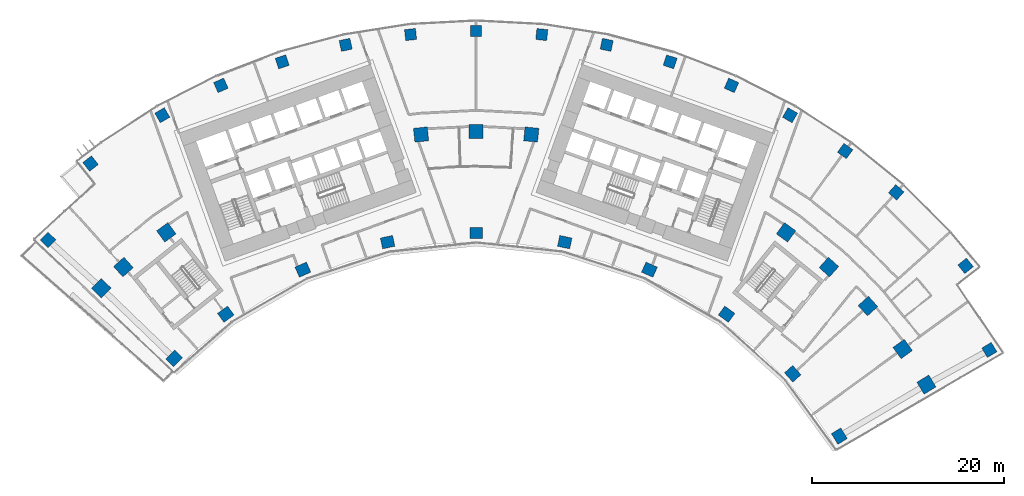
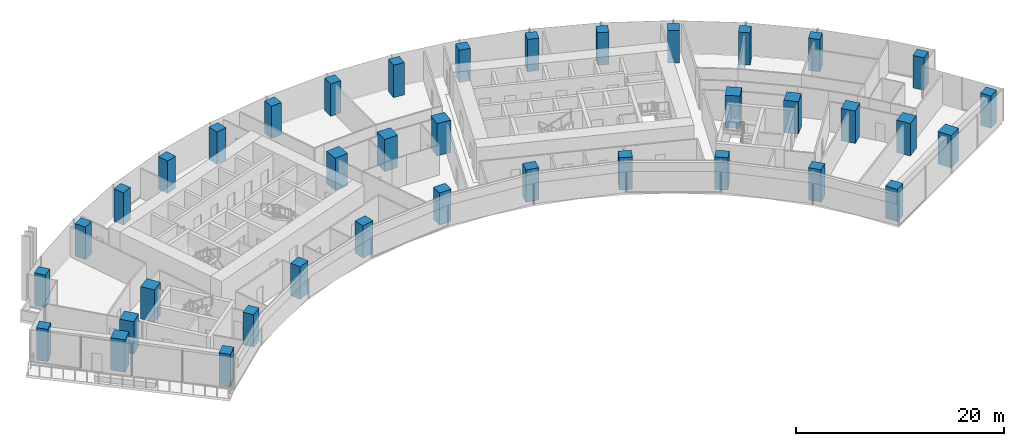
# One storey, part 1 of 20: 38 columns.
"""IFC4 building model written with IfcOpenShell, lengths in metres."""

import ifcopenshell
import ifcopenshell.guid

model = None  # the IFC model being written
_history = None  # IfcOwnerHistory: only IFC2X3 demands one
_inside = {}  # id of a spatial element -> (the spatial element, [elements in it])
_under = {}  # id of a project, library or spatial element -> (it, [spatial elements below it])
_declared = {}  # id of a project -> (the project, [libraries it declares])
_typed = {}  # id of a type object -> (the type object, [elements of that type])
_made_of = {}  # id of a material, layer set ... -> (it, [elements and type objects made of it])


def new_model(schema):
    """Start an empty IFC model of exactly this schema.

    Asked for "IFC4X3", IfcOpenShell would pick the latest addendum, in which some entities
    have other attributes; the version numbers below select the first issue.
    IFC2X3 requires an IfcOwnerHistory on every rooted entity: one is made here for all.
    """
    global model, _history
    if schema == "IFC4X3":
        model = ifcopenshell.file(schema_version=(4, 3, 0, 0))
    else:
        model = ifcopenshell.file(schema=schema)
    _inside.clear()
    _under.clear()
    _declared.clear()
    _typed.clear()
    _made_of.clear()
    _history = None
    if model.schema == "IFC2X3":
        org = make("IfcOrganization", Name="unknown")
        user = make(
            "IfcPersonAndOrganization",
            ThePerson=make("IfcPerson", FamilyName="unknown"),
            TheOrganization=org,
        )
        app = make(
            "IfcApplication",
            ApplicationDeveloper=org,
            Version="unknown",
            ApplicationFullName="unknown",
            ApplicationIdentifier="unknown",
        )
        _history = make(
            "IfcOwnerHistory",
            OwningUser=user,
            OwningApplication=app,
            ChangeAction="ADDED",
            CreationDate=0,
        )
    return model


def make(cls, **values):
    """One entity of the class cls with the attributes given. An attribute that is None is left unset."""
    return model.create_entity(
        cls, **{name: value for name, value in values.items() if value is not None}
    )


def rooted(cls, **values):
    """An entity with a GlobalId (a new one), such as an element, a storey or a relation."""
    return make(cls, GlobalId=ifcopenshell.guid.new(), OwnerHistory=_history, **values)


def si_unit(unit_type, name, prefix=None):
    """IfcSIUnit, for example si_unit("LENGTHUNIT", "METRE", prefix="MILLI")."""
    return make("IfcSIUnit", UnitType=unit_type, Prefix=prefix, Name=name)


def assignment(units):
    """IfcUnitAssignment: the units of a project."""
    return None if units is None else make("IfcUnitAssignment", Units=units)


def point(xyz):
    """IfcCartesianPoint."""
    return None if xyz is None else make("IfcCartesianPoint", Coordinates=xyz)


def direction(xyz):
    """IfcDirection."""
    return None if xyz is None else make("IfcDirection", DirectionRatios=xyz)


def frame(location, z_axis=None, x_axis=None):
    """IfcAxis2Placement3D, a coordinate frame: its origin and axes. An axis left out is left unset."""
    return make(
        "IfcAxis2Placement3D",
        Location=point(location),
        Axis=direction(z_axis),
        RefDirection=direction(x_axis),
    )


def frame_2d(location, x_axis=None):
    """IfcAxis2Placement2D, a coordinate frame in the plane: its origin and x axis."""
    return make(
        "IfcAxis2Placement2D", Location=point(location), RefDirection=direction(x_axis)
    )


def origin():
    """The frame at (0, 0, 0) with its axes left unset."""
    return frame((0.0, 0.0, 0.0))


def origin_2d():
    """The frame at (0, 0) in the plane with its x axis left unset."""
    return frame_2d((0.0, 0.0))


def place(relative_to, where):
    """IfcLocalPlacement: puts the frame where relative to a parent placement (None: the world)."""
    return make(
        "IfcLocalPlacement", PlacementRelTo=relative_to, RelativePlacement=where
    )


def context(
    kind, dimensions, precision=None, world=None, true_north=None, identifier=None
):
    """IfcGeometricRepresentationContext, for example the 3D "Model" context."""
    return make(
        "IfcGeometricRepresentationContext",
        ContextIdentifier=identifier,
        ContextType=kind,
        CoordinateSpaceDimension=dimensions,
        Precision=precision,
        WorldCoordinateSystem=world,
        TrueNorth=true_north,
    )


def subcontext(parent, identifier, kind, view, scale=None):
    """IfcGeometricRepresentationSubContext, for example "Body" below "Model"."""
    return make(
        "IfcGeometricRepresentationSubContext",
        ContextIdentifier=identifier,
        ContextType=kind,
        ParentContext=parent,
        TargetScale=scale,
        TargetView=view,
    )


def project(units=None, contexts=None):
    """IfcProject with its units and contexts."""
    return rooted(
        "IfcProject",
        Name="project",
        RepresentationContexts=contexts,
        UnitsInContext=assignment(units),
    )


def spatial(cls, under=None, at=None, **own):
    """A site, building, storey or space (cls), placed at a placement, below another one or the project."""
    s = rooted(cls, ObjectPlacement=at, **own)
    if under is not None:
        _under.setdefault(under.id(), (under, []))[1].append(s)
    return s


def profile(cls, at=None, kind="AREA", **sizes):
    """A parametric profile (cls). Its sizes go by their IFC names, for example OverallWidth=200.0."""
    return make(cls, ProfileType=kind, Position=at, **sizes)


def rectangle(**sizes):
    """IfcRectangleProfileDef."""
    return profile("IfcRectangleProfileDef", **sizes)


def extrude(swept, where, along, depth):
    """IfcExtrudedAreaSolid: the profile swept, set in the frame where, extruded along a direction by depth."""
    return make(
        "IfcExtrudedAreaSolid",
        SweptArea=swept,
        Position=where,
        ExtrudedDirection=direction(along),
        Depth=depth,
    )


def shape(context_of_items, identifier, shape_type, items):
    """IfcShapeRepresentation: the items that make up one representation, for example the "Body"."""
    return make(
        "IfcShapeRepresentation",
        ContextOfItems=context_of_items,
        RepresentationIdentifier=identifier,
        RepresentationType=shape_type,
        Items=items,
    )


def material(Name=None, Category=None):
    """IfcMaterial."""
    return make("IfcMaterial", Name=Name, Category=Category)


def material_profile(
    of_material, cross_section, Name=None, Category=None, Priority=None
):
    """IfcMaterialProfile: a cross section and its material."""
    return make(
        "IfcMaterialProfile",
        Name=Name,
        Material=of_material,
        Profile=cross_section,
        Priority=Priority,
        Category=Category,
    )


def profile_set(profiles, Name=None, composite=None):
    """IfcMaterialProfileSet."""
    return make(
        "IfcMaterialProfileSet",
        Name=Name,
        MaterialProfiles=profiles,
        CompositeProfile=composite,
    )


def made_of(thing, what):
    """Note that an element or type object is made of a material, layer set ...; save() writes the relation."""
    if what is not None:
        _made_of.setdefault(what.id(), (what, []))[1].append(thing)
    return thing


def type_object(cls, material=None, **own):
    """A type object (cls), such as IfcWallType, which elements share."""
    return made_of(rooted(cls, **own), material)


def element(
    cls,
    number,
    at=None,
    inside=None,
    cuts=None,
    type_object=None,
    material=None,
    context=None,
    identifier="Body",
    shape_type=None,
    held_by="IfcProductDefinitionShape",
    body=None,
    shapes=None,
    **own,
):
    """One element of the class cls, such as IfcWall. Its Tag is "e" and its number.

    at: its placement. inside: the storey or other place that contains it. cuts: it is an
    opening in that element (IfcRelVoidsElement). A single representation is given by context,
    identifier, shape_type and body (its items); several are given by shapes. held_by: the class
    of the entity that holds the representations. save() writes the other relations.
    """
    e = rooted(cls, Tag="e%d" % number, ObjectPlacement=at, **own)
    if body is not None:
        shapes = [shape(context, identifier, shape_type, body)]
    if shapes is not None:
        e.Representation = make(held_by, Representations=shapes)
    if inside is not None:
        _inside.setdefault(inside.id(), (inside, []))[1].append(e)
    if cuts is not None:
        rooted(
            "IfcRelVoidsElement", RelatingBuildingElement=cuts, RelatedOpeningElement=e
        )
    if type_object is not None:
        _typed.setdefault(type_object.id(), (type_object, []))[1].append(e)
    return made_of(e, material)


def aggregate(whole, parts):
    """IfcRelAggregates: a whole, such as a stair, and the parts it consists of."""
    return rooted("IfcRelAggregates", RelatingObject=whole, RelatedObjects=parts)


def save(model, path):
    """Write the relations noted so far, then the file.

    IfcRelAggregates (storeys below a building ...), IfcRelContainedInSpatialStructure (elements
    in a storey), IfcRelDefinesByType, IfcRelAssociatesMaterial and IfcRelDeclares: one each for
    every whole, place, type object, material and project.
    """
    for whole, parts in _under.values():
        aggregate(whole, parts)
    for where, things in _inside.values():
        rooted(
            "IfcRelContainedInSpatialStructure",
            RelatedElements=things,
            RelatingStructure=where,
        )
    for kind, things in _typed.values():
        rooted("IfcRelDefinesByType", RelatedObjects=things, RelatingType=kind)
    for what, things in _made_of.values():
        rooted("IfcRelAssociatesMaterial", RelatedObjects=things, RelatingMaterial=what)
    for by, libraries in _declared.values():
        rooted("IfcRelDeclares", RelatingContext=by, RelatedDefinitions=libraries)
    model.write(path)


model = new_model("IFC4")

# Units and contexts
model_context = context("Model", 3, precision=1e-05, world=origin(), true_north=direction((0.0, 1.0)))
body_context = subcontext(model_context, "Body", "Model", "MODEL_VIEW")
ifc_project = project(units=[si_unit("LENGTHUNIT", "METRE"), si_unit("AREAUNIT", "SQUARE_METRE"), si_unit("VOLUMEUNIT", "CUBIC_METRE"), si_unit("PLANEANGLEUNIT", "RADIAN"), si_unit("MASSUNIT", "GRAM", prefix="KILO")], contexts=[model_context])

# Site, building, storey
site_placement = place(None, origin())
site = spatial("IfcSite", under=ifc_project, at=site_placement, CompositionType="ELEMENT")
building_placement = place(site_placement, origin())
building = spatial("IfcBuilding", under=site, at=building_placement, Name="Stone Belt Terrace Tower", CompositionType="ELEMENT")
storey_placement = place(building_placement, frame((0.0, 0.0, 125.0)))
storey = spatial("IfcBuildingStorey", under=building, at=storey_placement, Name="L30", CompositionType="ELEMENT", Elevation=125.0)

# Columns
ifc_material = material(Name="Concrete B80", Category="concrete")
ifc_material_profile_1 = material_profile(ifc_material, rectangle(XDim=1.14990234375, YDim=1.14990234375, at=origin_2d()), Name="RC 1150x1150")
ifc_profile_set_1 = profile_set([ifc_material_profile_1], Name="Concrete B80")
column_type_1 = type_object("IfcColumnType", Name="Column RC 1150x1150 B80", PredefinedType="COLUMN", material=ifc_profile_set_1)
for number, where, z_axis, x_axis, name in (
    (1, (-44.660400390625, 43.70703125, 0.0), (0.0, 0.0, 1.0), (0.699437600403, 0.714693670842, 0.0), "Column L30 RA"),
    (2, (53.53662109375, 32.228515625, 0.0), (0.0, 0.0, 1.0), (0.515750011733, -0.856739123303, 0.0), "Column L30 RB"),
    (3, (-40.231201171875, 51.674560546875, 0.0), (0.0, 0.0, 1.0), (0.789057280835, 0.614319629803, 0.0), "Column L30 RNA"),
    (4, (-32.744384765625, 56.715087890625, 0.0), (0.0, 0.0, 1.0), (0.866025403784, 0.5, 0.0), "Column L30 R17"),
    (5, (-26.63671875, 59.8271484375, 0.0), (0.0, 0.0, 1.0), (0.913545457643, 0.406736643076, 0.0), "Column L30 R18"),
    (6, (-20.2373046875, 62.28369140625, 0.0), (0.0, 0.0, 1.0), (0.951056516295, 0.309016994375, 0.0), "Column L30 R19"),
    (7, (-13.615966796875, 64.057861328125, 0.0), (0.0, 0.0, 1.0), (0.978147600734, 0.207911690818, 0.0), "Column L30 R20"),
    (8, (-6.845458984375, 65.130126953125, 0.0), (0.0, 0.0, 1.0), (0.994521895368, 0.104528463268, 0.0), "Column L30 R21"),
    (9, (0.0, 65.489013671875, 0.0), (0.0, 0.0, 1.0), (1.0, 0.0, 0.0), "Column L30 R22"),
    (10, (6.845458984375, 65.130126953125, 0.0), (0.0, 0.0, 1.0), (0.994521895368, -0.104528463268, 0.0), "Column L30 R23"),
    (11, (13.615966796875, 64.057861328125, 0.0), (0.0, 0.0, 1.0), (0.978147600734, -0.207911690818, 0.0), "Column L30 R24"),
    (12, (20.2373046875, 62.28369140625, 0.0), (0.0, 0.0, 1.0), (0.951056516295, -0.309016994375, 0.0), "Column L30 R25"),
    (13, (26.63671875, 59.8271484375, 0.0), (0.0, 0.0, 1.0), (0.913545457643, -0.406736643076, 0.0), "Column L30 R26"),
    (14, (32.744384765625, 56.715087890625, 0.0), (0.0, 0.0, 1.0), (0.866025403784, -0.5, 0.0), "Column L30 R27"),
    (15, (38.493408203125, 52.981689453125, 0.0), (0.0, 0.0, 1.0), (0.809016994375, -0.587785252292, 0.0), "Column L30 R28"),
    (16, (43.820556640625, 48.667724609375, 0.0), (0.0, 0.0, 1.0), (0.743144825477, -0.669130606359, 0.0), "Column L30 R29"),
    (17, (51.064208984375, 41.002685546875, 0.0), (0.0, 0.0, 1.0), (0.626104488961, -0.779739167224, 0.0), "Column L30 RNB"),
):
    element("IfcColumn", number, at=place(storey_placement, frame(where, z_axis=z_axis, x_axis=x_axis)), inside=storey, type_object=column_type_1, Name=name, PredefinedType="COLUMN", context=body_context, shape_type="SweptSolid", body=[
        extrude(rectangle(XDim=1.14990234375, YDim=1.14990234375, at=origin_2d()), origin(), (0.0, 0.0, 1.0), 3.800048828125),
    ])
ifc_material_profile_2 = material_profile(ifc_material, rectangle(XDim=1.300048828125, YDim=1.14990234375, at=origin_2d()), Name="RC 1300x1150")
ifc_profile_set_2 = profile_set([ifc_material_profile_2], Name="Concrete B80")
column_type_2 = type_object("IfcColumnType", Name="Column RC 1300x1150 B80", PredefinedType="COLUMN", material=ifc_profile_set_2)
for number, where, z_axis, x_axis, name in (
    (18, (-31.5078125, 31.3466796875, 0.0), (0.0, 0.0, 1.0), (0.705293990601, 0.708914936239, 0.0), "Column L30 PA"),
    (19, (-26.1240234375, 35.956787109375, 0.0), (0.0, 0.0, 1.0), (0.809016994375, 0.587785252292, 0.0), "Column L30 P16"),
    (20, (-18.077392578125, 40.6025390625, 0.0), (0.0, 0.0, 1.0), (0.913545457643, 0.406736643076, 0.0), "Column L30 P18"),
    (21, (-9.240478515625, 43.473876953125, 0.0), (0.0, 0.0, 1.0), (0.978147600734, 0.207911690818, 0.0), "Column L30 P20"),
    (22, (0.0, 44.445068359375, 0.0), (0.0, 0.0, 1.0), (1.0, 0.0, 0.0), "Column L30 P22"),
    (23, (9.240478515625, 43.473876953125, 0.0), (0.0, 0.0, 1.0), (0.978147600734, -0.207911690818, 0.0), "Column L30 P24"),
    (24, (18.077392578125, 40.6025390625, 0.0), (0.0, 0.0, 1.0), (0.913545457643, -0.406736643076, 0.0), "Column L30 P26"),
    (25, (26.1240234375, 35.956787109375, 0.0), (0.0, 0.0, 1.0), (0.809016994375, -0.587785252292, 0.0), "Column L30 P28"),
    (26, (33.029052734375, 29.739501953125, 0.0), (0.0, 0.0, 1.0), (0.669130606359, -0.743144825477, 0.0), "Column L30 P30"),
    (27, (37.887939453125, 23.235107421875, 0.0), (0.0, 0.0, 1.0), (0.522781282168, -0.852466850391, 0.0), "Column L30 PB"),
):
    element("IfcColumn", number, at=place(storey_placement, frame(where, z_axis=z_axis, x_axis=x_axis)), inside=storey, type_object=column_type_2, Name=name, PredefinedType="COLUMN", context=body_context, shape_type="SweptSolid", body=[
        extrude(rectangle(XDim=1.300048828125, YDim=1.14990234375, at=origin_2d()), origin(), (0.0, 0.0, 1.0), 3.800048828125),
    ])
ifc_material_profile_3 = material_profile(ifc_material, rectangle(XDim=1.449951171875, YDim=1.449951171875, at=origin_2d()), Name="RC 1450x1450")
ifc_profile_set_3 = profile_set([ifc_material_profile_3], Name="Concrete B80")
column_type_3 = type_object("IfcColumnType", Name="Column RC 1450x1450 B80", PredefinedType="COLUMN", material=ifc_profile_set_3)
for number, where, z_axis, x_axis, name in (
    (28, (-39.108154296875, 38.67236328125, 0.0), (0.0, 0.0, 1.0), (0.703134133957, 0.711057233748, 0.0), "Column L30 QA"),
    (29, (-36.80224609375, 40.873046875, 0.0), (0.0, 0.0, 1.0), (0.743144825477, 0.669130606359, 0.0), "Column L30 Q15"),
    (30, (-32.328125, 44.495849609375, 0.0), (0.0, 0.0, 1.0), (0.809016994375, 0.587785252292, 0.0), "Column L30 Q16"),
    (31, (-5.7490234375, 54.69873046875, 0.0), (0.0, 0.0, 1.0), (0.994521895368, 0.104528463268, 0.0), "Column L30 Q21"),
    (32, (0.0, 55.0, 0.0), (0.0, 0.0, 1.0), (1.0, 0.0, 0.0), "Column L30 Q22"),
    (33, (5.7490234375, 54.69873046875, 0.0), (0.0, 0.0, 1.0), (0.994521895368, -0.104528463268, 0.0), "Column L30 Q23"),
    (34, (32.328125, 44.495849609375, 0.0), (0.0, 0.0, 1.0), (0.809016994375, -0.587785252292, 0.0), "Column L30 Q28"),
    (35, (36.80224609375, 40.873046875, 0.0), (0.0, 0.0, 1.0), (0.743144825477, -0.669130606359, 0.0), "Column L30 Q29"),
    (36, (40.873046875, 36.80224609375, 0.0), (0.0, 0.0, 1.0), (0.669130606359, -0.743144825477, 0.0), "Column L30 Q30"),
    (37, (44.495849609375, 32.328125, 0.0), (0.0, 0.0, 1.0), (0.587785252292, -0.809016994375, 0.0), "Column L30 Q31"),
    (38, (46.972900390625, 28.610107421875, 0.0), (0.0, 0.0, 1.0), (0.520185570168, -0.854053260979, 0.0), "Column L30 QB"),
):
    element("IfcColumn", number, at=place(storey_placement, frame(where, z_axis=z_axis, x_axis=x_axis)), inside=storey, type_object=column_type_3, Name=name, PredefinedType="COLUMN", context=body_context, shape_type="SweptSolid", body=[
        extrude(rectangle(XDim=1.449951171875, YDim=1.449951171875, at=origin_2d()), origin(), (0.0, 0.0, 1.0), 3.800048828125),
    ])

save(model, "model.ifc")
